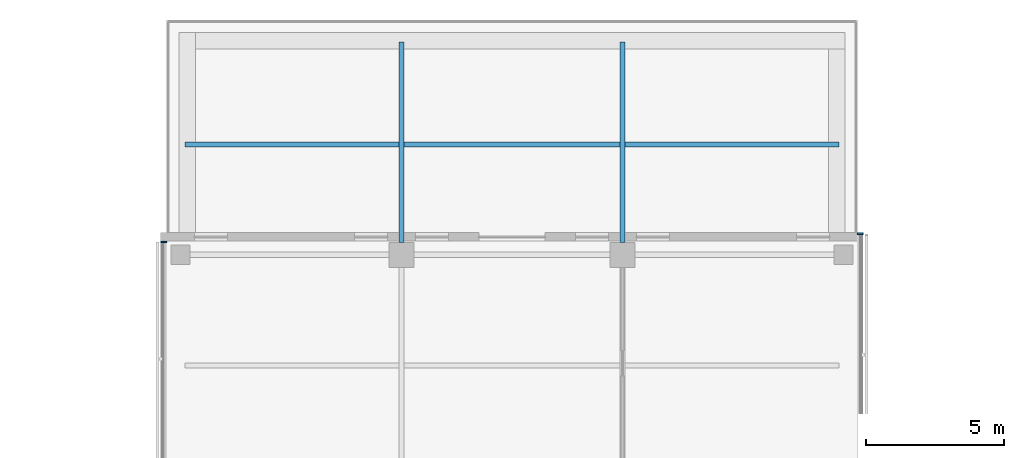
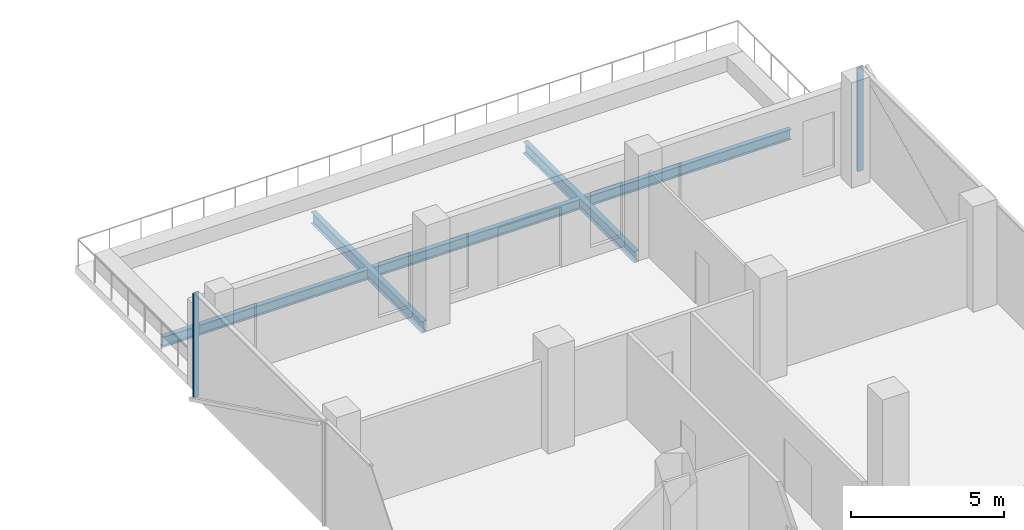
# One storey, part 13 of 24: 5 beams, 2 members, 2 elements without a shape of their own.
"""IFC4 building model written with IfcOpenShell, lengths in metres."""

from ifc_helpers import new_model, si_unit, direction, frame, origin, origin_2d, place, context, subcontext, project, spatial, rectangle, i_section, extrude, material, material_profile, profile_set, type_object, element, aggregate, save


model = new_model("IFC4")

# Units and contexts
model_context = context("Model", 3, precision=1e-05, world=origin(), true_north=direction((0.0, 1.0)))
body_context = subcontext(model_context, "Body", "Model", "MODEL_VIEW")
ifc_project = project(units=[si_unit("LENGTHUNIT", "METRE"), si_unit("AREAUNIT", "SQUARE_METRE"), si_unit("VOLUMEUNIT", "CUBIC_METRE"), si_unit("PLANEANGLEUNIT", "RADIAN"), si_unit("MASSUNIT", "GRAM", prefix="KILO")], contexts=[model_context])

# Site, building, storey
site_placement = place(None, origin())
site = spatial("IfcSite", under=ifc_project, at=site_placement, CompositionType="ELEMENT")
building_placement = place(site_placement, origin())
building = spatial("IfcBuilding", under=site, at=building_placement, Name="Crosswind Convention Tower", CompositionType="ELEMENT")
storey_placement = place(building_placement, frame((0.0, 0.0, 112.699951171875)))
storey = spatial("IfcBuildingStorey", under=building, at=storey_placement, Name="L22", CompositionType="ELEMENT", Elevation=112.699951171875)

# Beams
ifc_material_1 = material(Name="Steel S355", Category="steel")
ifc_material_profile_1 = material_profile(ifc_material_1, i_section(OverallWidth=0.19140625, OverallDepth=0.460205078125, WebThickness=0.010009765625, FlangeThickness=0.01611328125, FilletRadius=0.01025390625, at=origin_2d()), Name="UB 457x191x82")
ifc_profile_set_1 = profile_set([ifc_material_profile_1], Name="Steel S355")
beam_type_1 = type_object("IfcBeamType", Name="Girder UB 457x191x82", PredefinedType="BEAM", material=ifc_profile_set_1)
for number, where, z_axis, x_axis, name in (
    (1, (121.0, 128.449951171875, -0.530029296875), (0.0, 1.0, 0.0), (-1.0, 0.0, 0.0), "B3 L22 girder 13"),
    (2, (129.0, 128.449951171875, -0.530029296875), (0.0, 1.0, 0.0), (-1.0, 0.0, 0.0), "B3 L22 girder 28"),
):
    element("IfcBeam", number, at=place(storey_placement, frame(where, z_axis=z_axis, x_axis=x_axis)), inside=storey, type_object=beam_type_1, Name=name, PredefinedType="BEAM", context=body_context, shape_type="SweptSolid", body=[
        extrude(i_section(OverallWidth=0.19140625, OverallDepth=0.460205078125, WebThickness=0.010009765625, FlangeThickness=0.01611328125, FilletRadius=0.01025390625, at=origin_2d()), origin(), (0.0, 0.0, 1.0), 7.25),
    ])

# Curtain wall, member
ifc_material_2 = material(Name="Aluminium unitised curtain wall", Category="aluminium")
curtain_wall_type = type_object("IfcCurtainWallType", Name="OFFICE UNITISED WALL 220", PredefinedType="USERDEFINED", material=ifc_material_2)
curtain_wall_1_placement = place(storey_placement, origin())
curtain_wall_1 = element("IfcCurtainWall", 3, at=curtain_wall_1_placement, inside=storey, type_object=curtain_wall_type, Name="CW3 L22 N-E 1", ObjectType="UNITISED", PredefinedType="USERDEFINED")
ifc_material_3 = material(Name="Aluminium mullion", Category="aluminium")
ifc_material_profile_2 = material_profile(ifc_material_3, rectangle(XDim=0.219970703125, YDim=0.070068359375, at=origin_2d()), Name="AL 220X70")
ifc_profile_set_2 = profile_set([ifc_material_profile_2], Name="Aluminium mullion")
member_type = type_object("IfcMemberType", Name="MULLION 70X220", PredefinedType="MULLION", material=ifc_profile_set_2)
member_1_placement = place(storey_placement, frame((137.610107421875, 128.764892578125, -0.300048828125), z_axis=(0.0, 0.0, 1.0), x_axis=(1.0, 0.0, 0.0)))
member_1 = element("IfcMember", 4, at=member_1_placement, type_object=member_type, Name="CW3 mullion 2", PredefinedType="MULLION", context=body_context, shape_type="SweptSolid", body=[
    extrude(rectangle(XDim=0.219970703125, YDim=0.070068359375, at=origin_2d()), origin(), (0.0, 0.0, 1.0), 4.130126953125),
])
aggregate(curtain_wall_1, [member_1])

curtain_wall_2_placement = place(storey_placement, origin())
curtain_wall_2 = element("IfcCurtainWall", 5, at=curtain_wall_2_placement, inside=storey, type_object=curtain_wall_type, Name="CW3 L22 N-W 1", ObjectType="UNITISED", PredefinedType="USERDEFINED")
member_2_placement = place(storey_placement, frame((112.389892578125, 128.465087890625, -0.300048828125), z_axis=(0.0, 0.0, 1.0), x_axis=(-1.0, 0.0, 0.0)))
member_2 = element("IfcMember", 6, at=member_2_placement, type_object=member_type, Name="CW3 mullion 1", PredefinedType="MULLION", context=body_context, shape_type="SweptSolid", body=[
    extrude(rectangle(XDim=0.219970703125, YDim=0.070068359375, at=origin_2d()), origin(), (0.0, 0.0, 1.0), 4.130126953125),
])
aggregate(curtain_wall_2, [member_2])

# Beams
ifc_material_profile_3 = material_profile(ifc_material_1, i_section(OverallWidth=0.177734375, OverallDepth=0.406494140625, WebThickness=0.0078125, FlangeThickness=0.0126953125, FilletRadius=0.01025390625, at=origin_2d()), Name="UB 406x178x60")
ifc_profile_set_3 = profile_set([ifc_material_profile_3], Name="Steel S355")
beam_type_2 = type_object("IfcBeamType", Name="Secondary beam UB 406x178x60", PredefinedType="JOIST", material=ifc_profile_set_3)
beam_1_placement = place(storey_placement, frame((113.156982421875, 132.0, -0.503173828125), z_axis=(1.0, 0.0, 0.0), x_axis=(0.0, 1.0, 0.0)))
element("IfcBeam", 7, at=beam_1_placement, inside=storey, type_object=beam_type_2, Name="B10 L22 secondary beam 12", PredefinedType="JOIST", context=body_context, shape_type="SweptSolid", body=[
    extrude(i_section(OverallWidth=0.177734375, OverallDepth=0.406494140625, WebThickness=0.0078125, FlangeThickness=0.0126953125, FilletRadius=0.01025390625, at=origin_2d()), origin(), (0.0, 0.0, 1.0), 7.747314453125),
])
beam_2_placement = place(storey_placement, frame((121.095703125, 132.0, -0.503173828125), z_axis=(1.0, 0.0, 0.0), x_axis=(0.0, 1.0, 0.0)))
element("IfcBeam", 8, at=beam_2_placement, inside=storey, type_object=beam_type_2, Name="B10 L22 secondary beam 21", PredefinedType="JOIST", context=body_context, shape_type="SweptSolid", body=[
    extrude(i_section(OverallWidth=0.177734375, OverallDepth=0.406494140625, WebThickness=0.0078125, FlangeThickness=0.0126953125, FilletRadius=0.01025390625, at=origin_2d()), origin(), (0.0, 0.0, 1.0), 7.80859375),
])
beam_3_placement = place(storey_placement, frame((129.095703125, 132.0, -0.503173828125), z_axis=(1.0, 0.0, 0.0), x_axis=(0.0, 1.0, 0.0)))
element("IfcBeam", 9, at=beam_3_placement, inside=storey, type_object=beam_type_2, Name="B10 L22 secondary beam 30", PredefinedType="JOIST", context=body_context, shape_type="SweptSolid", body=[
    extrude(i_section(OverallWidth=0.177734375, OverallDepth=0.406494140625, WebThickness=0.0078125, FlangeThickness=0.0126953125, FilletRadius=0.01025390625, at=origin_2d()), origin(), (0.0, 0.0, 1.0), 7.747314453125),
])

save(model, "model.ifc")
